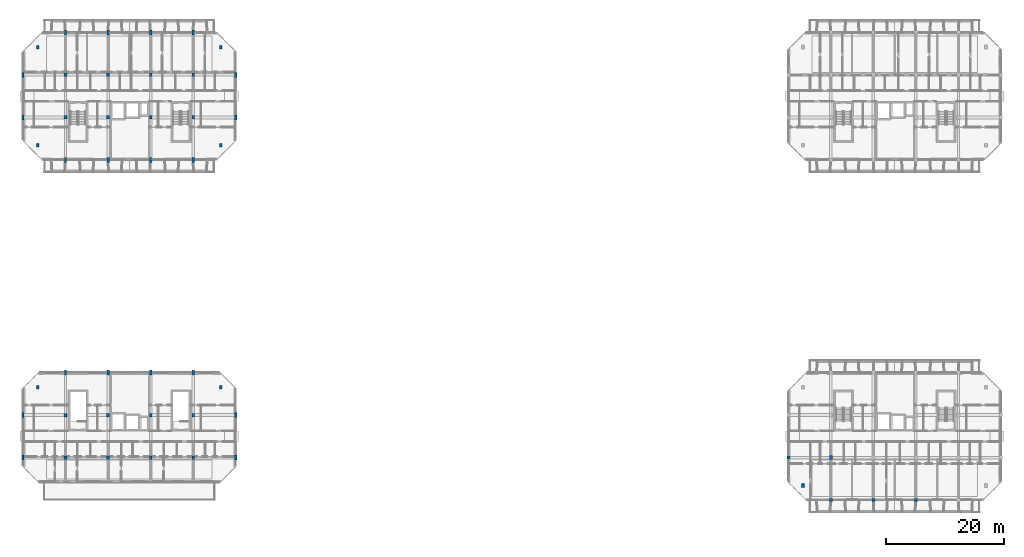
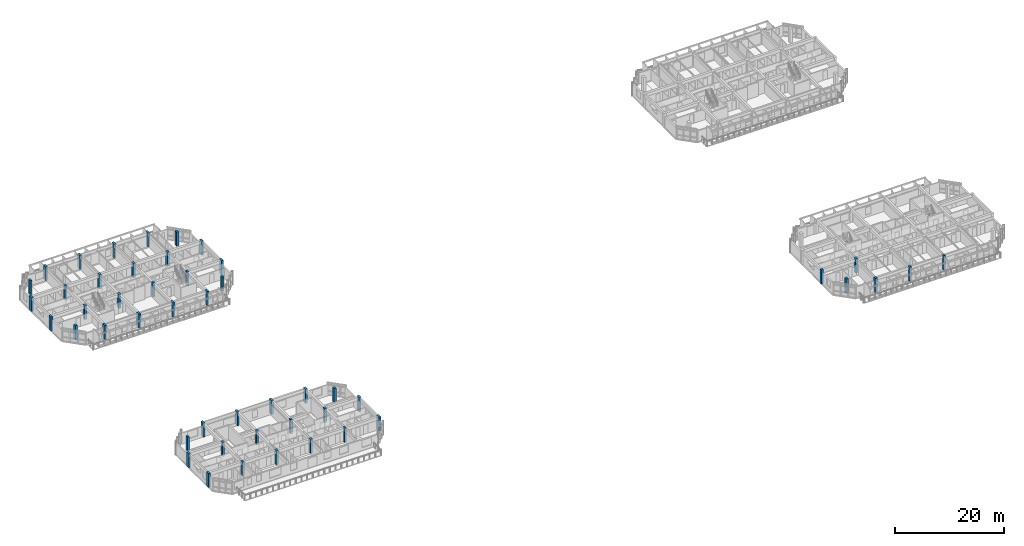
# One storey, part 1 of 40: 48 columns.
"""IFC4 building model written with IfcOpenShell, lengths in metres."""

from ifc_helpers import new_model, si_unit, direction, frame, origin, origin_2d, place, context, subcontext, project, spatial, rectangle, extrude, material, material_profile, profile_set, type_object, element, save


model = new_model("IFC4")

# Units and contexts
model_context = context("Model", 3, precision=1e-05, world=origin(), true_north=direction((0.0, 1.0)))
body_context = subcontext(model_context, "Body", "Model", "MODEL_VIEW")
ifc_project = project(units=[si_unit("LENGTHUNIT", "METRE"), si_unit("AREAUNIT", "SQUARE_METRE"), si_unit("VOLUMEUNIT", "CUBIC_METRE"), si_unit("PLANEANGLEUNIT", "RADIAN"), si_unit("MASSUNIT", "GRAM", prefix="KILO")], contexts=[model_context])

# Site, building, storey
site_placement = place(None, origin())
site = spatial("IfcSite", under=ifc_project, at=site_placement, CompositionType="ELEMENT")
building_placement = place(site_placement, origin())
building = spatial("IfcBuilding", under=site, at=building_placement, Name="Ochrevale Crest", CompositionType="ELEMENT")
storey_placement = place(building_placement, frame((0.0, 0.0, 27.60009765625)))
storey = spatial("IfcBuildingStorey", under=building, at=storey_placement, Name="L08", CompositionType="ELEMENT", Elevation=27.60009765625)

# Columns
ifc_material = material(Name="Precast concrete C50/60", Category="concrete")
ifc_material_profile_1 = material_profile(ifc_material, rectangle(XDim=0.39990234375, YDim=0.800048828125, at=origin_2d()), Name="RC 400x800")
ifc_profile_set_1 = profile_set([ifc_material_profile_1], Name="Precast concrete C50/60")
column_type_1 = type_object("IfcColumnType", Name="COL-RC400x800", PredefinedType="COLUMN", material=ifc_profile_set_1)
for number, where, z_axis, x_axis, name in (
    (1, (0.0, 21.60009765625, 0.0), (0.0, 0.0, 1.0), (1.0, 0.0, 0.0), "Block A L08 column (0.0,21.6)"),
    (2, (0.0, 28.800048828125, 0.0), (0.0, 0.0, 1.0), (1.0, 0.0, 0.0), "Block A L08 column (0.0,28.8)"),
    (3, (7.199951171875, 36.0, 0.0), (0.0, 0.0, 1.0), (1.0, 0.0, 0.0), "Block A L08 column (7.2,36.0)"),
    (4, (14.39990234375, 36.0, 0.0), (0.0, 0.0, 1.0), (1.0, 0.0, 0.0), "Block A L08 column (14.4,36.0)"),
    (5, (21.60009765625, 36.0, 0.0), (0.0, 0.0, 1.0), (1.0, 0.0, 0.0), "Block A L08 column (21.6,36.0)"),
    (6, (28.800048828125, 36.0, 0.0), (0.0, 0.0, 1.0), (1.0, 0.0, 0.0), "Block A L08 column (28.8,36.0)"),
    (7, (36.0, 21.60009765625, 0.0), (0.0, 0.0, 1.0), (1.0, 0.0, 0.0), "Block A L08 column (36.0,21.6)"),
    (8, (36.0, 28.800048828125, 0.0), (0.0, 0.0, 1.0), (1.0, 0.0, 0.0), "Block A L08 column (36.0,28.8)"),
    (9, (0.0, 79.199951171875, 0.0), (0.0, 0.0, 1.0), (1.0, 0.0, 0.0), "Block B L08 column (0.0,79.2)"),
    (10, (0.0, 86.39990234375, 0.0), (0.0, 0.0, 1.0), (1.0, 0.0, 0.0), "Block B L08 column (0.0,86.4)"),
    (11, (7.199951171875, 72.0, 0.0), (0.0, 0.0, 1.0), (1.0, 0.0, 0.0), "Block B L08 column (7.2,72.0)"),
    (12, (7.199951171875, 93.60009765625, 0.0), (0.0, 0.0, 1.0), (1.0, 0.0, 0.0), "Block B L08 column (7.2,93.6)"),
    (13, (14.39990234375, 72.0, 0.0), (0.0, 0.0, 1.0), (1.0, 0.0, 0.0), "Block B L08 column (14.4,72.0)"),
    (14, (14.39990234375, 93.60009765625, 0.0), (0.0, 0.0, 1.0), (1.0, 0.0, 0.0), "Block B L08 column (14.4,93.6)"),
    (15, (21.60009765625, 72.0, 0.0), (0.0, 0.0, 1.0), (1.0, 0.0, 0.0), "Block B L08 column (21.6,72.0)"),
    (16, (21.60009765625, 93.60009765625, 0.0), (0.0, 0.0, 1.0), (1.0, 0.0, 0.0), "Block B L08 column (21.6,93.6)"),
    (17, (28.800048828125, 72.0, 0.0), (0.0, 0.0, 1.0), (1.0, 0.0, 0.0), "Block B L08 column (28.8,72.0)"),
    (18, (28.800048828125, 93.60009765625, 0.0), (0.0, 0.0, 1.0), (1.0, 0.0, 0.0), "Block B L08 column (28.8,93.6)"),
    (19, (36.0, 79.199951171875, 0.0), (0.0, 0.0, 1.0), (1.0, 0.0, 0.0), "Block B L08 column (36.0,79.2)"),
    (20, (36.0, 86.39990234375, 0.0), (0.0, 0.0, 1.0), (1.0, 0.0, 0.0), "Block B L08 column (36.0,86.4)"),
):
    element("IfcColumn", number, at=place(storey_placement, frame(where, z_axis=z_axis, x_axis=x_axis)), inside=storey, type_object=column_type_1, Name=name, PredefinedType="COLUMN", context=body_context, shape_type="SweptSolid", body=[
        extrude(rectangle(XDim=0.39990234375, YDim=0.800048828125, at=origin_2d()), origin(), (0.0, 0.0, 1.0), 3.14990234375),
    ])
ifc_material_profile_2 = material_profile(ifc_material, rectangle(XDim=0.449951171875, YDim=0.60009765625, at=origin_2d()), Name="RC 450x600")
ifc_profile_set_2 = profile_set([ifc_material_profile_2], Name="Precast concrete C50/60")
column_type_2 = type_object("IfcColumnType", Name="COL-RC450x600", PredefinedType="COLUMN", material=ifc_profile_set_2)
for number, where, z_axis, x_axis, name in (
    (21, (2.5, 33.5, 0.0), (0.0, 0.0, 1.0), (1.0, 0.0, 0.0), "Block A L08 column (2.5,33.5)"),
    (22, (7.199951171875, 21.60009765625, 0.0), (0.0, 0.0, 1.0), (1.0, 0.0, 0.0), "Block A L08 column (7.2,21.6)"),
    (23, (7.199951171875, 28.800048828125, 0.0), (0.0, 0.0, 1.0), (1.0, 0.0, 0.0), "Block A L08 column (7.2,28.8)"),
    (24, (14.39990234375, 21.60009765625, 0.0), (0.0, 0.0, 1.0), (1.0, 0.0, 0.0), "Block A L08 column (14.4,21.6)"),
    (25, (14.39990234375, 28.800048828125, 0.0), (0.0, 0.0, 1.0), (1.0, 0.0, 0.0), "Block A L08 column (14.4,28.8)"),
    (26, (21.60009765625, 21.60009765625, 0.0), (0.0, 0.0, 1.0), (1.0, 0.0, 0.0), "Block A L08 column (21.6,21.6)"),
    (27, (21.60009765625, 28.800048828125, 0.0), (0.0, 0.0, 1.0), (1.0, 0.0, 0.0), "Block A L08 column (21.6,28.8)"),
    (28, (28.800048828125, 21.60009765625, 0.0), (0.0, 0.0, 1.0), (1.0, 0.0, 0.0), "Block A L08 column (28.8,21.6)"),
    (29, (28.800048828125, 28.800048828125, 0.0), (0.0, 0.0, 1.0), (1.0, 0.0, 0.0), "Block A L08 column (28.8,28.8)"),
    (30, (33.5, 33.5, 0.0), (0.0, 0.0, 1.0), (1.0, 0.0, 0.0), "Block A L08 column (33.5,33.5)"),
    (31, (2.5, 74.5, 0.0), (0.0, 0.0, 1.0), (1.0, 0.0, 0.0), "Block B L08 column (2.5,74.5)"),
    (32, (2.5, 91.10009765625, 0.0), (0.0, 0.0, 1.0), (1.0, 0.0, 0.0), "Block B L08 column (2.5,91.1)"),
    (33, (7.199951171875, 79.199951171875, 0.0), (0.0, 0.0, 1.0), (1.0, 0.0, 0.0), "Block B L08 column (7.2,79.2)"),
    (34, (7.199951171875, 86.39990234375, 0.0), (0.0, 0.0, 1.0), (1.0, 0.0, 0.0), "Block B L08 column (7.2,86.4)"),
    (35, (14.39990234375, 79.199951171875, 0.0), (0.0, 0.0, 1.0), (1.0, 0.0, 0.0), "Block B L08 column (14.4,79.2)"),
    (36, (14.39990234375, 86.39990234375, 0.0), (0.0, 0.0, 1.0), (1.0, 0.0, 0.0), "Block B L08 column (14.4,86.4)"),
    (37, (21.60009765625, 79.199951171875, 0.0), (0.0, 0.0, 1.0), (1.0, 0.0, 0.0), "Block B L08 column (21.6,79.2)"),
    (38, (21.60009765625, 86.39990234375, 0.0), (0.0, 0.0, 1.0), (1.0, 0.0, 0.0), "Block B L08 column (21.6,86.4)"),
    (39, (28.800048828125, 79.199951171875, 0.0), (0.0, 0.0, 1.0), (1.0, 0.0, 0.0), "Block B L08 column (28.8,79.2)"),
    (40, (28.800048828125, 86.39990234375, 0.0), (0.0, 0.0, 1.0), (1.0, 0.0, 0.0), "Block B L08 column (28.8,86.4)"),
    (41, (33.5, 74.5, 0.0), (0.0, 0.0, 1.0), (1.0, 0.0, 0.0), "Block B L08 column (33.5,74.5)"),
    (42, (33.5, 91.10009765625, 0.0), (0.0, 0.0, 1.0), (1.0, 0.0, 0.0), "Block B L08 column (33.5,91.1)"),
):
    element("IfcColumn", number, at=place(storey_placement, frame(where, z_axis=z_axis, x_axis=x_axis)), inside=storey, type_object=column_type_2, Name=name, PredefinedType="COLUMN", context=body_context, shape_type="SweptSolid", body=[
        extrude(rectangle(XDim=0.449951171875, YDim=0.60009765625, at=origin_2d()), origin(), (0.0, 0.0, 1.0), 3.14990234375),
    ])
ifc_material_profile_3 = material_profile(ifc_material, rectangle(XDim=0.5, YDim=0.5, at=origin_2d()), Name="RC 500x500")
ifc_profile_set_3 = profile_set([ifc_material_profile_3], Name="Precast concrete C50/60")
column_type_3 = type_object("IfcColumnType", Name="COL-RC500x500", PredefinedType="COLUMN", material=ifc_profile_set_3)
for number, where, z_axis, x_axis, name in (
    (43, (129.60009765625, 21.60009765625, 0.0), (0.0, 0.0, 1.0), (1.0, 0.0, 0.0), "Block C L08 column (129.6,21.6)"),
    (44, (136.800048828125, 14.39990234375, 0.0), (0.0, 0.0, 1.0), (1.0, 0.0, 0.0), "Block C L08 column (136.8,14.4)"),
    (45, (144.0, 14.39990234375, 0.0), (0.0, 0.0, 1.0), (1.0, 0.0, 0.0), "Block C L08 column (144.0,14.4)"),
    (46, (151.199951171875, 14.39990234375, 0.0), (0.0, 0.0, 1.0), (1.0, 0.0, 0.0), "Block C L08 column (151.2,14.4)"),
):
    element("IfcColumn", number, at=place(storey_placement, frame(where, z_axis=z_axis, x_axis=x_axis)), inside=storey, type_object=column_type_3, Name=name, PredefinedType="COLUMN", context=body_context, shape_type="SweptSolid", body=[
        extrude(rectangle(XDim=0.5, YDim=0.5, at=origin_2d()), origin(), (0.0, 0.0, 1.0), 3.14990234375),
    ])
ifc_material_profile_4 = material_profile(ifc_material, rectangle(XDim=0.5, YDim=0.64990234375, at=origin_2d()), Name="RC 500x650")
ifc_profile_set_4 = profile_set([ifc_material_profile_4], Name="Precast concrete C50/60")
column_type_4 = type_object("IfcColumnType", Name="COL-RC500x650", PredefinedType="COLUMN", material=ifc_profile_set_4)
for number, where, z_axis, x_axis, name in (
    (47, (132.10009765625, 16.89990234375, 0.0), (0.0, 0.0, 1.0), (1.0, 0.0, 0.0), "Block C L08 column (132.1,16.9)"),
    (48, (136.800048828125, 21.60009765625, 0.0), (0.0, 0.0, 1.0), (1.0, 0.0, 0.0), "Block C L08 column (136.8,21.6)"),
):
    element("IfcColumn", number, at=place(storey_placement, frame(where, z_axis=z_axis, x_axis=x_axis)), inside=storey, type_object=column_type_4, Name=name, PredefinedType="COLUMN", context=body_context, shape_type="SweptSolid", body=[
        extrude(rectangle(XDim=0.5, YDim=0.64990234375, at=origin_2d()), origin(), (0.0, 0.0, 1.0), 3.14990234375),
    ])

save(model, "model.ifc")
